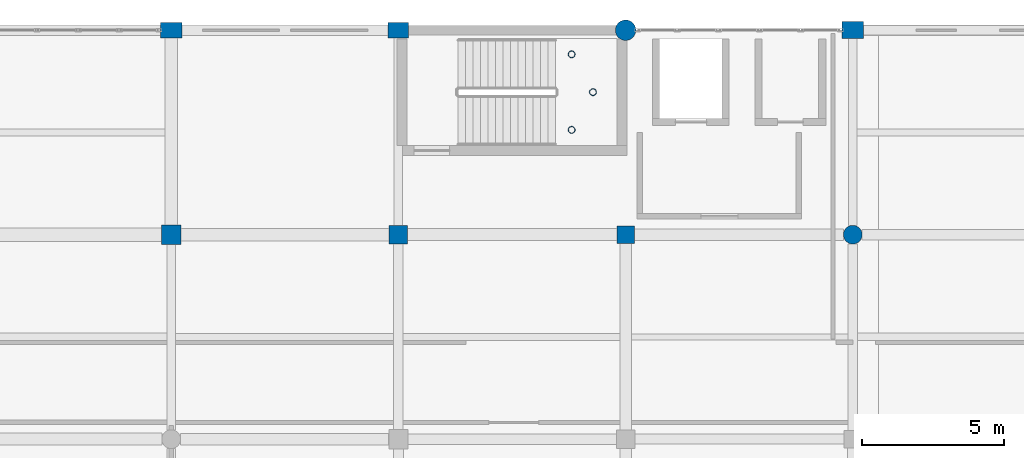
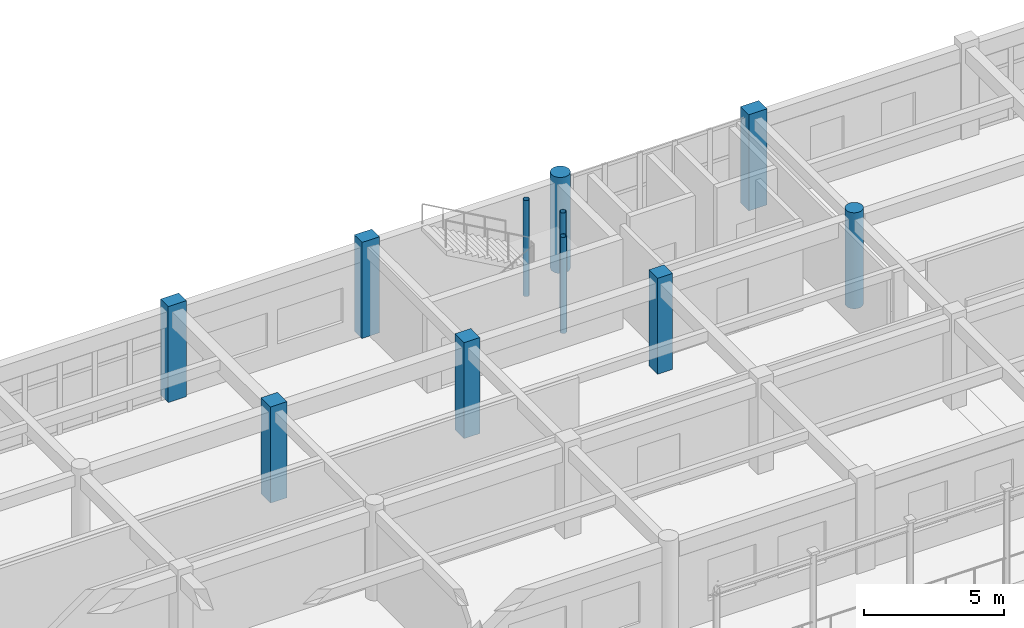
# One storey, part 22 of 195: 11 columns.
"""IFC4 building model written with IfcOpenShell, lengths in metres."""

from ifc_helpers import new_model, si_unit, direction, frame, origin, origin_2d, place, context, subcontext, project, spatial, rectangle, circle, hollow_circle, extrude, material, material_profile, profile_set, type_object, element, save


model = new_model("IFC4")

# Units and contexts
model_context = context("Model", 3, precision=1e-05, world=origin(), true_north=direction((0.0, 1.0)))
body_context = subcontext(model_context, "Body", "Model", "MODEL_VIEW")
ifc_project = project(units=[si_unit("LENGTHUNIT", "METRE"), si_unit("AREAUNIT", "SQUARE_METRE"), si_unit("VOLUMEUNIT", "CUBIC_METRE"), si_unit("PLANEANGLEUNIT", "RADIAN"), si_unit("MASSUNIT", "GRAM", prefix="KILO")], contexts=[model_context])

# Site, building, storey
site_placement = place(None, origin())
site = spatial("IfcSite", under=ifc_project, at=site_placement, CompositionType="ELEMENT")
building_placement = place(site_placement, origin())
building = spatial("IfcBuilding", under=site, at=building_placement, Name="Kharva Crest Polytechnic", CompositionType="ELEMENT")
storey_placement = place(building_placement, frame((0.0, 0.0, 9.0)))
storey = spatial("IfcBuildingStorey", under=building, at=storey_placement, Name="L02", CompositionType="ELEMENT", Elevation=9.0)

# Columns
ifc_material_1 = material(Name="Concrete C40/50", Category="concrete")
ifc_material_profile_1 = material_profile(ifc_material_1, rectangle(XDim=0.719970703125, YDim=0.550048828125, at=origin_2d()), Name="RECT 720 X 550")
ifc_profile_set_1 = profile_set([ifc_material_profile_1], Name="Concrete C40/50")
column_type_1 = type_object("IfcColumnType", Name="COL-EXT-720X550", PredefinedType="COLUMN", material=ifc_profile_set_1)
column_1_placement = place(storey_placement, frame((104.0, 122.0, 0.0), z_axis=(0.0, 0.0, 1.0), x_axis=(1.0, 0.0, 0.0)))
element("IfcColumn", 1, at=column_1_placement, inside=storey, type_object=column_type_1, Name="L02 Column 14/S", PredefinedType="COLUMN", context=body_context, shape_type="SweptSolid", body=[
    extrude(rectangle(XDim=0.719970703125, YDim=0.550048828125, at=origin_2d()), origin(), (0.0, 0.0, 1.0), 4.199951171875),
])
ifc_material_profile_2 = material_profile(ifc_material_1, rectangle(XDim=0.75, YDim=0.550048828125, at=origin_2d()), Name="RECT 750 X 550")
ifc_profile_set_2 = profile_set([ifc_material_profile_2], Name="Concrete C40/50")
column_type_2 = type_object("IfcColumnType", Name="COL-EXT-750X550", PredefinedType="COLUMN", material=ifc_profile_set_2)
column_2_placement = place(storey_placement, frame((96.0, 122.0, 0.0), z_axis=(0.0, 0.0, 1.0), x_axis=(1.0, 0.0, 0.0)))
element("IfcColumn", 2, at=column_2_placement, inside=storey, type_object=column_type_2, Name="L02 Column 13/S", PredefinedType="COLUMN", context=body_context, shape_type="SweptSolid", body=[
    extrude(rectangle(XDim=0.75, YDim=0.550048828125, at=origin_2d()), origin(), (0.0, 0.0, 1.0), 4.199951171875),
])
ifc_material_profile_3 = material_profile(ifc_material_1, rectangle(XDim=0.75, YDim=0.60009765625, at=origin_2d()), Name="RECT 750 X 600")
ifc_profile_set_3 = profile_set([ifc_material_profile_3], Name="Concrete C40/50")
column_type_3 = type_object("IfcColumnType", Name="COL-EXT-750X600", PredefinedType="COLUMN", material=ifc_profile_set_3)
column_3_placement = place(storey_placement, frame((120.0, 122.0, 0.0), z_axis=(0.0, 0.0, 1.0), x_axis=(1.0, 0.0, 0.0)))
element("IfcColumn", 3, at=column_3_placement, inside=storey, type_object=column_type_3, Name="L02 Column 16/S", PredefinedType="COLUMN", context=body_context, shape_type="SweptSolid", body=[
    extrude(rectangle(XDim=0.75, YDim=0.60009765625, at=origin_2d()), origin(), (0.0, 0.0, 1.0), 4.199951171875),
])
ifc_material_profile_4 = material_profile(ifc_material_1, circle(Radius=0.360107421875, at=origin_2d()), Name="DIA 720")
ifc_profile_set_4 = profile_set([ifc_material_profile_4], Name="Concrete C40/50")
column_type_4 = type_object("IfcColumnType", Name="COL-EXT-DIA720", PredefinedType="COLUMN", material=ifc_profile_set_4)
column_4_placement = place(storey_placement, frame((112.0, 122.0, 0.0), z_axis=(0.0, 0.0, 1.0), x_axis=(1.0, 0.0, 0.0)))
element("IfcColumn", 4, at=column_4_placement, inside=storey, type_object=column_type_4, Name="L02 Column 15/S", PredefinedType="COLUMN", context=body_context, shape_type="SweptSolid", body=[
    extrude(circle(Radius=0.360107421875, at=origin_2d()), origin(), (0.0, 0.0, 1.0), 4.199951171875),
])
ifc_material_profile_5 = material_profile(ifc_material_1, rectangle(XDim=0.6201171875, YDim=0.6201171875, at=origin_2d()), Name="RECT 620 X 620")
ifc_profile_set_5 = profile_set([ifc_material_profile_5], Name="Concrete C40/50")
column_type_5 = type_object("IfcColumnType", Name="COL-INT-620X620", PredefinedType="COLUMN", material=ifc_profile_set_5)
column_5_placement = place(storey_placement, frame((112.0, 114.800048828125, 0.0), z_axis=(0.0, 0.0, 1.0), x_axis=(1.0, 0.0, 0.0)))
element("IfcColumn", 5, at=column_5_placement, inside=storey, type_object=column_type_5, Name="L02 Column 15/R", PredefinedType="COLUMN", context=body_context, shape_type="SweptSolid", body=[
    extrude(rectangle(XDim=0.6201171875, YDim=0.6201171875, at=origin_2d()), origin(), (0.0, 0.0, 1.0), 4.199951171875),
])
ifc_material_profile_6 = material_profile(ifc_material_1, rectangle(XDim=0.64990234375, YDim=0.64990234375, at=origin_2d()), Name="RECT 650 X 650")
ifc_profile_set_6 = profile_set([ifc_material_profile_6], Name="Concrete C40/50")
column_type_6 = type_object("IfcColumnType", Name="COL-INT-650X650", PredefinedType="COLUMN", material=ifc_profile_set_6)
column_6_placement = place(storey_placement, frame((104.0, 114.800048828125, 0.0), z_axis=(0.0, 0.0, 1.0), x_axis=(1.0, 0.0, 0.0)))
element("IfcColumn", 6, at=column_6_placement, inside=storey, type_object=column_type_6, Name="L02 Column 14/R", PredefinedType="COLUMN", context=body_context, shape_type="SweptSolid", body=[
    extrude(rectangle(XDim=0.64990234375, YDim=0.64990234375, at=origin_2d()), origin(), (0.0, 0.0, 1.0), 4.199951171875),
])
ifc_material_profile_7 = material_profile(ifc_material_1, rectangle(XDim=0.679931640625, YDim=0.679931640625, at=origin_2d()), Name="RECT 680 X 680")
ifc_profile_set_7 = profile_set([ifc_material_profile_7], Name="Concrete C40/50")
column_type_7 = type_object("IfcColumnType", Name="COL-INT-680X680", PredefinedType="COLUMN", material=ifc_profile_set_7)
column_7_placement = place(storey_placement, frame((96.0, 114.800048828125, 0.0), z_axis=(0.0, 0.0, 1.0), x_axis=(1.0, 0.0, 0.0)))
element("IfcColumn", 7, at=column_7_placement, inside=storey, type_object=column_type_7, Name="L02 Column 13/R", PredefinedType="COLUMN", context=body_context, shape_type="SweptSolid", body=[
    extrude(rectangle(XDim=0.679931640625, YDim=0.679931640625, at=origin_2d()), origin(), (0.0, 0.0, 1.0), 4.199951171875),
])
ifc_material_profile_8 = material_profile(ifc_material_1, circle(Radius=0.330078125, at=origin_2d()), Name="DIA 660")
ifc_profile_set_8 = profile_set([ifc_material_profile_8], Name="Concrete C40/50")
column_type_8 = type_object("IfcColumnType", Name="COL-INT-DIA660", PredefinedType="COLUMN", material=ifc_profile_set_8)
column_8_placement = place(storey_placement, frame((120.0, 114.800048828125, 0.0), z_axis=(0.0, 0.0, 1.0), x_axis=(1.0, 0.0, 0.0)))
element("IfcColumn", 8, at=column_8_placement, inside=storey, type_object=column_type_8, Name="L02 Column 16/R", PredefinedType="COLUMN", context=body_context, shape_type="SweptSolid", body=[
    extrude(circle(Radius=0.330078125, at=origin_2d()), origin(), (0.0, 0.0, 1.0), 4.199951171875),
])
ifc_material_2 = material(Name="Steel S355", Category="steel")
ifc_material_profile_9 = material_profile(ifc_material_2, hollow_circle(Radius=0.122314453125, WallThickness=0.010009765625, at=origin_2d()), Name="CHS 244.5X10.0")
ifc_profile_set_9 = profile_set([ifc_material_profile_9], Name="Steel S355")
column_type_9 = type_object("IfcColumnType", Name="COL-STL-CHS244", PredefinedType="COLUMN", material=ifc_profile_set_9)
for number, where, z_axis, x_axis, name in (
    (9, (110.10009765625, 118.489990234375, 0.0), (0.0, 0.0, 1.0), (1.0, 0.0, 0.0), "L02 Stair ST-04 Landing Support Column SW"),
    (10, (110.10009765625, 121.14990234375, 0.0), (0.0, 0.0, 1.0), (1.0, 0.0, 0.0), "L02 Stair ST-04 Landing Support Column NW"),
    (11, (110.85009765625, 119.820068359375, 0.0), (0.0, 0.0, 1.0), (1.0, 0.0, 0.0), "L02 Stair ST-04 Landing Support Column EM"),
):
    element("IfcColumn", number, at=place(storey_placement, frame(where, z_axis=z_axis, x_axis=x_axis)), inside=storey, type_object=column_type_9, Name=name, PredefinedType="COLUMN", context=body_context, shape_type="SweptSolid", body=[
        extrude(hollow_circle(Radius=0.122314453125, WallThickness=0.010009765625, at=origin_2d()), origin(), (0.0, 0.0, 1.0), 4.199951171875),
    ])

save(model, "model.ifc")
